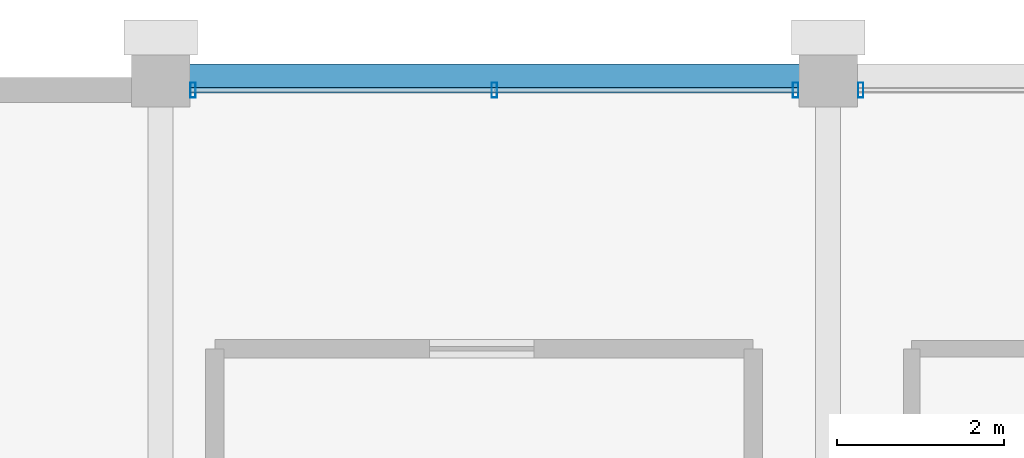
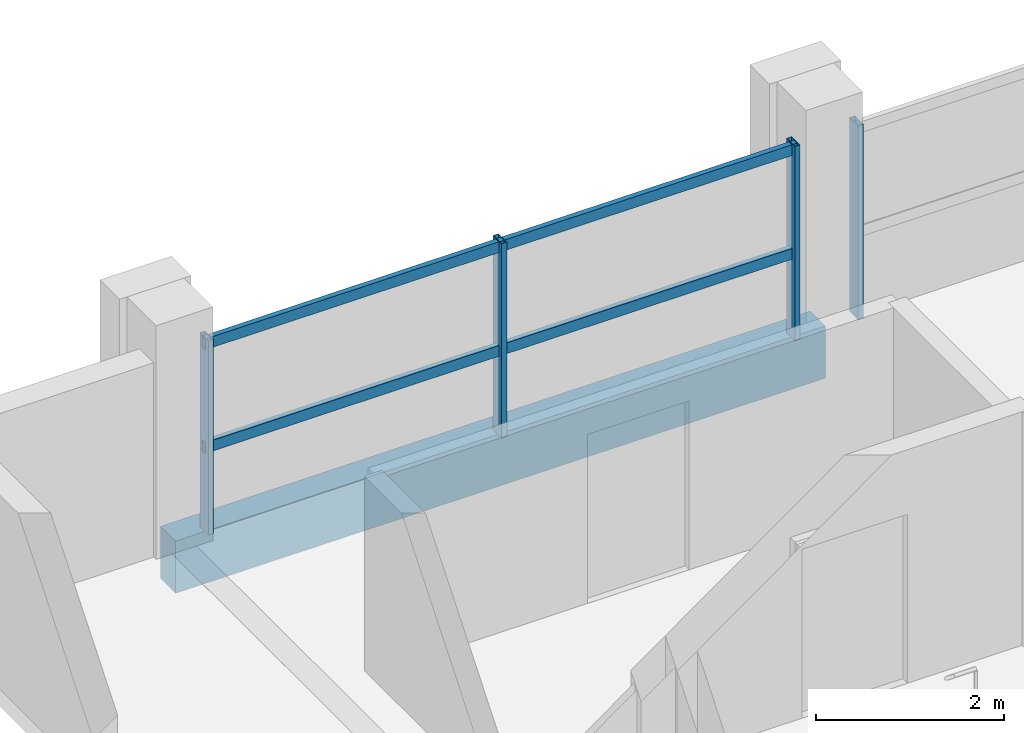
# One storey, part 15 of 24: 6 members, 1 beam, 2 elements without a shape of their own.
"""IFC4 building model written with IfcOpenShell, lengths in metres."""

from ifc_helpers import new_model, si_unit, direction, frame, origin, origin_2d, place, context, subcontext, project, spatial, rectangle, hollow_rectangle, extrude, material, material_profile, profile_set, type_object, element, aggregate, save


model = new_model("IFC4")

# Units and contexts
model_context = context("Model", 3, precision=1e-05, world=origin(), true_north=direction((0.0, 1.0)))
body_context = subcontext(model_context, "Body", "Model", "MODEL_VIEW")
ifc_project = project(units=[si_unit("LENGTHUNIT", "METRE"), si_unit("AREAUNIT", "SQUARE_METRE"), si_unit("VOLUMEUNIT", "CUBIC_METRE"), si_unit("PLANEANGLEUNIT", "RADIAN"), si_unit("MASSUNIT", "GRAM", prefix="KILO")], contexts=[model_context])

# Site, building, storey
site_placement = place(None, origin())
site = spatial("IfcSite", under=ifc_project, at=site_placement, CompositionType="ELEMENT")
building_placement = place(site_placement, origin())
building = spatial("IfcBuilding", under=site, at=building_placement, Name="Akrevak Sports Hall", CompositionType="ELEMENT")
storey_placement = place(building_placement, frame((0.0, 0.0, 56.800048828125)))
storey = spatial("IfcBuildingStorey", under=building, at=storey_placement, Name="L14", CompositionType="ELEMENT", Elevation=56.800048828125)

# Curtain wall, member
ifc_material_1 = material(Name="Anodized Bronze Aluminium & Low-E Glass", Category="aluminium")
curtain_wall_type = type_object("IfcCurtainWallType", Name="ARC-CW-TWR-64x30", PredefinedType="NOTDEFINED", material=ifc_material_1)
curtain_wall_1_placement = place(storey_placement, origin())
curtain_wall_1 = element("IfcCurtainWall", 1, at=curtain_wall_1_placement, inside=storey, type_object=curtain_wall_type, Name="Curtain Wall CW-L14-N21", PredefinedType="NOTDEFINED")
ifc_material_2 = material(Name="Anodized Bronze Aluminium", Category="aluminium")
ifc_material_profile_1 = material_profile(ifc_material_2, hollow_rectangle(XDim=0.06494140625, YDim=0.179931640625, WallThickness=0.00390625, at=origin_2d()), Name="CWM 65x180", Category="aluminium")
ifc_profile_set_1 = profile_set([ifc_material_profile_1], Name="Anodized Bronze Aluminium")
member_type_1 = type_object("IfcMemberType", Name="ARC-CWM-65x140", PredefinedType="MULLION", material=ifc_profile_set_1)
member_1_placement = place(storey_placement, frame((68.389892578125, 69.449951171875, 0.0), z_axis=(0.0, 0.0, 1.0), x_axis=(-1.0, 0.0, 0.0)))
member_1 = element("IfcMember", 2, at=member_1_placement, type_object=member_type_1, Name="Curtain Wall Mullion CW-L14-N21-M3", PredefinedType="MULLION", context=body_context, shape_type="SweptSolid", body=[
    extrude(hollow_rectangle(XDim=0.06494140625, YDim=0.179931640625, WallThickness=0.00390625, at=origin_2d()), origin(), (0.0, 0.0, 1.0), 2.530029296875),
])
aggregate(curtain_wall_1, [member_1])

# Curtain wall, members
curtain_wall_2_placement = place(storey_placement, origin())
curtain_wall_2 = element("IfcCurtainWall", 3, at=curtain_wall_2_placement, inside=storey, type_object=curtain_wall_type, Name="Curtain Wall CW-L14-N22", PredefinedType="NOTDEFINED")
member_2_placement = place(storey_placement, frame((67.610107421875, 69.449951171875, 0.0), z_axis=(0.0, 0.0, 1.0), x_axis=(-1.0, 0.0, 0.0)))
member_2 = element("IfcMember", 4, at=member_2_placement, type_object=member_type_1, Name="Curtain Wall Mullion CW-L14-N22-M1", PredefinedType="MULLION", context=body_context, shape_type="SweptSolid", body=[
    extrude(hollow_rectangle(XDim=0.06494140625, YDim=0.179931640625, WallThickness=0.00390625, at=origin_2d()), origin(), (0.0, 0.0, 1.0), 2.530029296875),
])
member_3_placement = place(storey_placement, frame((64.0, 69.449951171875, 0.0), z_axis=(0.0, 0.0, 1.0), x_axis=(-1.0, 0.0, 0.0)))
member_3 = element("IfcMember", 5, at=member_3_placement, type_object=member_type_1, Name="Curtain Wall Mullion CW-L14-N22-M2", PredefinedType="MULLION", context=body_context, shape_type="SweptSolid", body=[
    extrude(hollow_rectangle(XDim=0.06494140625, YDim=0.179931640625, WallThickness=0.00390625, at=origin_2d()), origin(), (0.0, 0.0, 1.0), 2.530029296875),
])
member_4_placement = place(storey_placement, frame((60.389892578125, 69.449951171875, 0.0), z_axis=(0.0, 0.0, 1.0), x_axis=(-1.0, 0.0, 0.0)))
member_4 = element("IfcMember", 6, at=member_4_placement, type_object=member_type_1, Name="Curtain Wall Mullion CW-L14-N22-M3", PredefinedType="MULLION", context=body_context, shape_type="SweptSolid", body=[
    extrude(hollow_rectangle(XDim=0.06494140625, YDim=0.179931640625, WallThickness=0.00390625, at=origin_2d()), origin(), (0.0, 0.0, 1.0), 2.530029296875),
])
ifc_material_profile_2 = material_profile(ifc_material_2, hollow_rectangle(XDim=0.06494140625, YDim=0.139892578125, WallThickness=0.00390625, at=origin_2d()), Name="CWT 65x140", Category="aluminium")
ifc_profile_set_2 = profile_set([ifc_material_profile_2], Name="Anodized Bronze Aluminium")
member_type_2 = type_object("IfcMemberType", Name="ARC-CWT-65x110", PredefinedType="USERDEFINED", material=ifc_profile_set_2)
member_5_placement = place(storey_placement, frame((67.64990234375, 69.449951171875, 1.099853515625), z_axis=(-1.0, 0.0, 0.0), x_axis=(0.0, -1.0, 0.0)))
member_5 = element("IfcMember", 7, at=member_5_placement, type_object=member_type_2, Name="Curtain Wall Transom CW-L14-N22-T1", ObjectType="TRANSOM", PredefinedType="USERDEFINED", context=body_context, shape_type="SweptSolid", body=[
    extrude(hollow_rectangle(XDim=0.06494140625, YDim=0.139892578125, WallThickness=0.00390625, at=origin_2d()), origin(), (0.0, 0.0, 1.0), 7.2998046875),
])
member_6_placement = place(storey_placement, frame((67.64990234375, 69.449951171875, 2.449951171875), z_axis=(-1.0, 0.0, 0.0), x_axis=(0.0, -1.0, 0.0)))
member_6 = element("IfcMember", 8, at=member_6_placement, type_object=member_type_2, Name="Curtain Wall Transom CW-L14-N22-T2", ObjectType="TRANSOM", PredefinedType="USERDEFINED", context=body_context, shape_type="SweptSolid", body=[
    extrude(hollow_rectangle(XDim=0.06494140625, YDim=0.139892578125, WallThickness=0.00390625, at=origin_2d()), origin(), (0.0, 0.0, 1.0), 7.2998046875),
])
aggregate(curtain_wall_2, [member_2, member_3, member_4, member_5, member_6])

# Beam
ifc_material_3 = material(Name="Concrete C40/50", Category="concrete")
ifc_material_profile_3 = material_profile(ifc_material_3, rectangle(XDim=0.320068359375, YDim=0.679931640625, at=origin_2d()), Name="SPD 320x680", Category="concrete")
ifc_profile_set_3 = profile_set([ifc_material_profile_3], Name="Concrete C40/50")
beam_type = type_object("IfcBeamType", Name="STR-SPD-RC320x680", PredefinedType="SPANDREL", material=ifc_profile_set_3)
beam_placement = place(storey_placement, frame((60.0, 69.60009765625, -0.340087890625), z_axis=(1.0, 0.0, 0.0), x_axis=(0.0, 1.0, 0.0)))
element("IfcBeam", 9, at=beam_placement, inside=storey, type_object=beam_type, Name="Girder K/9-10 (L14)", PredefinedType="SPANDREL", context=body_context, shape_type="SweptSolid", body=[
    extrude(rectangle(XDim=0.320068359375, YDim=0.679931640625, at=origin_2d()), origin(), (0.0, 0.0, 1.0), 8.0),
])

save(model, "model.ifc")
